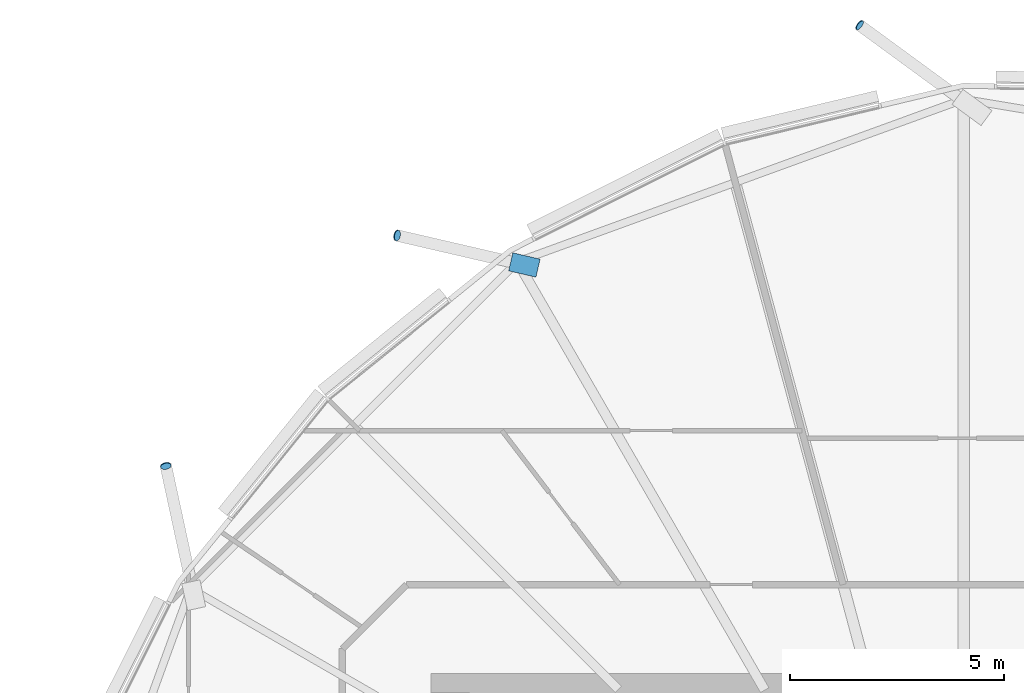
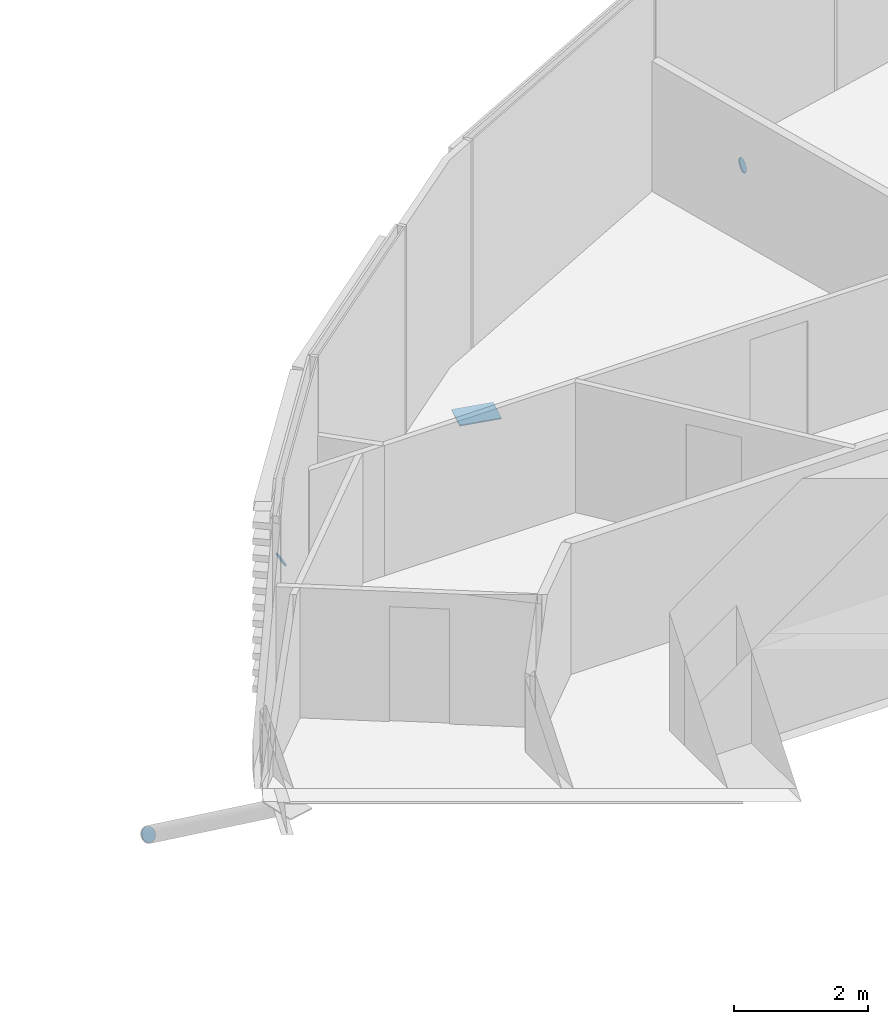
# One storey, part 31 of 38: 4 discrete accessories.
"""IFC4 building model written with IfcOpenShell, lengths in metres."""

from ifc_helpers import new_model, si_unit, direction, frame, origin, origin_2d, place, context, subcontext, project, spatial, polyline, rectangle, circle, outline, extrude, material, material_profile, profile_set, type_object, element, save


model = new_model("IFC4")

# Units and contexts
model_context = context("Model", 3, precision=1e-05, world=origin(), true_north=direction((0.0, 1.0)))
body_context = subcontext(model_context, "Body", "Model", "MODEL_VIEW")
ifc_project = project(units=[si_unit("LENGTHUNIT", "METRE"), si_unit("AREAUNIT", "SQUARE_METRE"), si_unit("VOLUMEUNIT", "CUBIC_METRE"), si_unit("PLANEANGLEUNIT", "RADIAN"), si_unit("MASSUNIT", "GRAM", prefix="KILO")], contexts=[model_context])

# Site, building, storey
site_placement = place(None, origin())
site = spatial("IfcSite", under=ifc_project, at=site_placement, CompositionType="ELEMENT")
building_placement = place(site_placement, origin())
building = spatial("IfcBuilding", under=site, at=building_placement, Name="Rimbun Link Towers", CompositionType="ELEMENT")
storey_placement = place(building_placement, frame((0.0, 0.0, 71.800048828125)))
storey = spatial("IfcBuildingStorey", under=building, at=storey_placement, Name="L17", CompositionType="ELEMENT", Elevation=71.800048828125)

# Discrete accessories
ifc_material_1 = material(Name="Steel S355J2H", Category="steel")
ifc_material_profile_1 = material_profile(ifc_material_1, circle(Radius=0.1240234375, at=origin_2d()), Name="PL D248")
ifc_profile_set_1 = profile_set([ifc_material_profile_1], Name="Steel S355J2H")
discrete_accessory_type_1 = type_object("IfcDiscreteAccessoryType", Name="Link foot sealing plate D248X20", PredefinedType="BRACKET", material=ifc_profile_set_1)
discrete_accessory_1_placement = place(storey_placement, frame((29.32177734375, 23.5986328125, -2.36474609375), z_axis=(-0.737837247603, 0.544306166264, -0.399157855261), x_axis=(-0.59364894857, -0.804724130284, 0.0)))
element("IfcDiscreteAccessory", 1, at=discrete_accessory_1_placement, inside=storey, type_object=discrete_accessory_type_1, Name="Link foot sealing plate T2 L17 03", PredefinedType="BRACKET", context=body_context, shape_type="SweptSolid", body=[
    extrude(circle(Radius=0.1240234375, at=origin_2d()), origin(), (0.0, 0.0, 1.0), 0.020263671875),
])
for number, where, z_axis, x_axis, name in (
    (2, (18.5107421875, 18.6845703125, -2.79931640625), (-0.816163323186, 0.182723132057, -0.54816939617), (-0.218472344851, -0.975843140333, 0.0), "Link foot sealing plate T2 L17 05"),
    (3, (13.099365234375, 13.2919921875, -2.664794921875), (-0.170263896376, 0.802672654344, -0.571600223548), (-0.978234125102, -0.207504208355, 0.0), "Link foot sealing plate T2 L17 07"),
):
    element("IfcDiscreteAccessory", number, at=place(storey_placement, frame(where, z_axis=z_axis, x_axis=x_axis)), inside=storey, type_object=discrete_accessory_type_1, Name=name, PredefinedType="BRACKET", context=body_context, shape_type="SweptSolid", body=[
        extrude(circle(Radius=0.1240234375, at=origin_2d()), origin(), (0.0, 0.0, 1.0), 0.02001953125),
    ])
ifc_material_2 = material(Name="Steel S355J2H", Category="steel")
ifc_material_profile_2 = material_profile(ifc_material_2, rectangle(XDim=0.43310546875, YDim=0.43310546875, at=origin_2d()), Name="PL 433x433")
ifc_profile_set_2 = profile_set([ifc_material_profile_2], Name="Steel S355J2H")
discrete_accessory_type_2 = type_object("IfcDiscreteAccessoryType", Name="Link head end plate 433X20", PredefinedType="BRACKET", material=ifc_profile_set_2)
discrete_accessory_2_placement = place(storey_placement, frame((0.0, 0.0, -0.78271484375)))
element("IfcDiscreteAccessory", 4, at=discrete_accessory_2_placement, inside=storey, type_object=discrete_accessory_type_2, Name="Link head end plate T2 L17 05", PredefinedType="BRACKET", context=body_context, shape_type="SweptSolid", body=[
    extrude(outline(polyline([(21.84716796875, 18.1337890625), (21.20947265625, 18.281494140625), (21.11181640625, 17.859619140625), (21.74951171875, 17.7119140625), (21.84716796875, 18.1337890625)])), origin(), (0.0, 0.0, 1.0), 0.02001953125),
])

save(model, "model.ifc")
